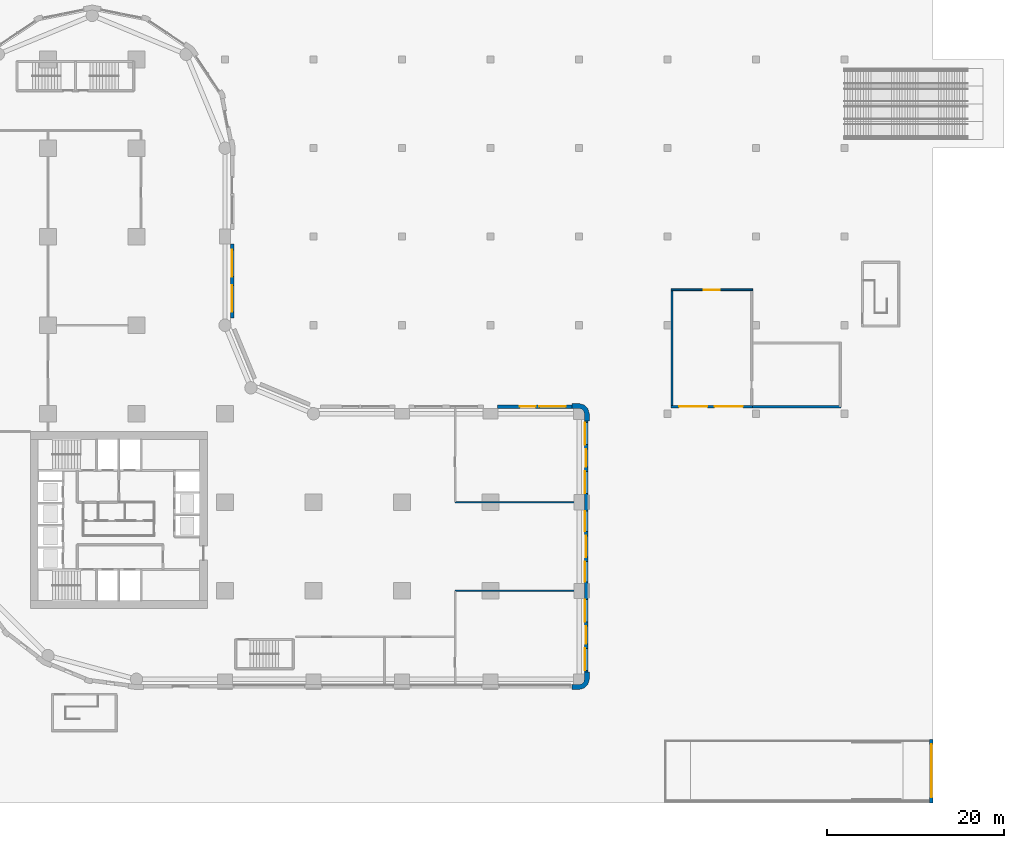
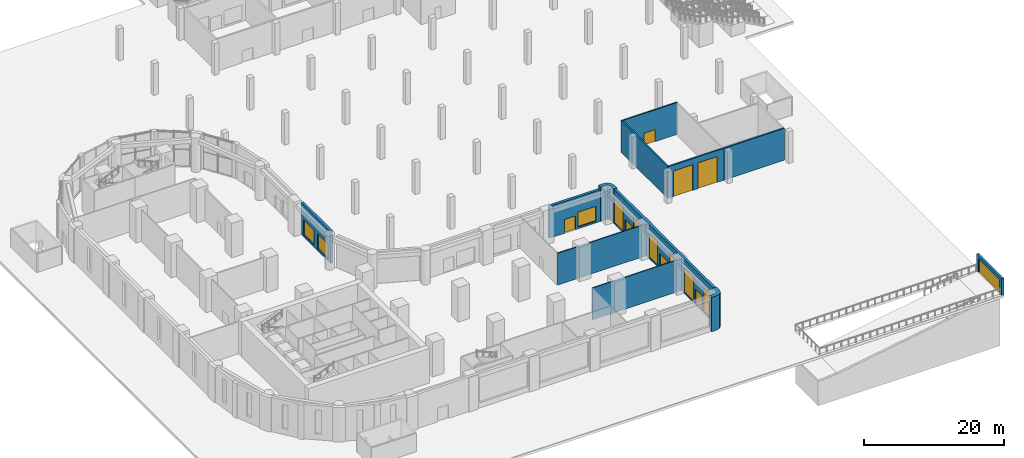
# One storey, part 10 of 21: 12 walls, 9 windows, 8 doors, 17 openings.
"""IFC4 building model written with IfcOpenShell, lengths in metres."""

from ifc_helpers import new_model, si_unit, direction, frame, frame_2d, origin, place, context, subcontext, project, spatial, polyline, rectangle, outline, extrude, material, layer, layer_set, type_object, element, fill, save


model = new_model("IFC4")

# Units and contexts
model_context = context("Model", 3, precision=1e-05, world=origin(), true_north=direction((0.0, 1.0)))
body_context = subcontext(model_context, "Body", "Model", "MODEL_VIEW")
ifc_project = project(units=[si_unit("LENGTHUNIT", "METRE"), si_unit("AREAUNIT", "SQUARE_METRE"), si_unit("VOLUMEUNIT", "CUBIC_METRE"), si_unit("PLANEANGLEUNIT", "RADIAN"), si_unit("MASSUNIT", "GRAM", prefix="KILO")], contexts=[model_context])

# Site, building, storey
site_placement = place(None, origin())
site = spatial("IfcSite", under=ifc_project, at=site_placement, CompositionType="ELEMENT")
building_placement = place(site_placement, origin())
building = spatial("IfcBuilding", under=site, at=building_placement, Name="Qaws Garden Tower", CompositionType="ELEMENT")
storey_placement = place(building_placement, origin())
storey = spatial("IfcBuildingStorey", under=building, at=storey_placement, Name="L00", CompositionType="ELEMENT", Elevation=0.0)

# Wall, openings, door, window
ifc_material_1 = material(Name="Brick masonry", Category="masonry")
ifc_layer_1 = layer(ifc_material_1, 0.39990234375)
ifc_layer_set_1 = layer_set([ifc_layer_1], Name="Brick masonry")
wall_type_1 = type_object("IfcWallType", Name="Base facade wall 400", PredefinedType="SOLIDWALL", material=ifc_layer_set_1)
wall_1_placement = place(storey_placement, frame((69.199951171875, 30.800048828125, 0.0), z_axis=(0.0, 0.0, 1.0), x_axis=(-1.0, 0.0, 0.0)))
wall_1 = element("IfcWall", 1, at=wall_1_placement, inside=storey, type_object=wall_type_1, Name="Base facade wall", PredefinedType="SOLIDWALL", context=body_context, shape_type="SweptSolid", body=[
    extrude(rectangle(XDim=8.39990234375, YDim=0.39990234375, at=frame_2d((4.199951171875, 0.0))), origin(), (0.0, 0.0, 1.0), 5.550048828125),
])
opening_1_placement = place(wall_1_placement, frame((0.699951171875, 0.0, 0.300048828125)))
opening_1 = element("IfcOpeningElement", 2, at=opening_1_placement, cuts=wall_1, Name="Opening PW-S1", PredefinedType="OPENING", context=body_context, shape_type="SweptSolid", body=[
    extrude(rectangle(XDim=3.0, YDim=2.60009765625, at=frame_2d((1.5, 1.300048828125))), frame((0.0, 0.2099609375, 0.0), z_axis=(0.0, -1.0, 0.0), x_axis=(1.0, 0.0, 0.0)), (0.0, 0.0, 1.0), 0.419921875),
])
opening_2_placement = place(wall_1_placement, frame((4.10009765625, 0.0, 0.0)))
opening_2 = element("IfcOpeningElement", 3, at=opening_2_placement, cuts=wall_1, Name="Opening PD6-04", PredefinedType="OPENING", context=body_context, shape_type="SweptSolid", body=[
    extrude(rectangle(XDim=1.800048828125, YDim=2.39990234375, at=frame_2d((0.89990234375, 1.199951171875))), frame((0.0, 0.2099609375, 0.0), z_axis=(0.0, -1.0, 0.0), x_axis=(1.0, 0.0, 0.0)), (0.0, 0.0, 1.0), 0.419921875),
])
ifc_material_2 = material(Name="Steel S235 framed door leaf", Category="steel")
door_type_1 = type_object("IfcDoorType", Name="Door D6 shopfront entrance 1800", OperationType="DOUBLE_DOOR_SINGLE_SWING", PredefinedType="DOOR", material=ifc_material_2)
door_1_placement = place(opening_2_placement, origin())
door_1 = element("IfcDoor", 4, at=door_1_placement, inside=storey, type_object=door_type_1, Name="Tower entrance door", OperationType="DOUBLE_DOOR_SINGLE_SWING", OverallHeight=2.39990234375, OverallWidth=1.800048828125, PredefinedType="DOOR", context=body_context, shape_type="SweptSolid", body=[
    extrude(rectangle(XDim=1.800048828125, YDim=2.39990234375, at=frame_2d((0.89990234375, 1.199951171875))), frame((0.0, 0.02490234375, 0.0), z_axis=(0.0, -1.0, 0.0), x_axis=(1.0, 0.0, 0.0)), (0.0, 0.0, 1.0), 0.050048828125),
])
fill(opening_2, door_1)
ifc_material_3 = material(Name="Aluminium and clear glass", Category="aluminium")
window_type_1 = type_object("IfcWindowType", Name="Shopfront window 3000", PartitioningType="TRIPLE_PANEL_VERTICAL", PredefinedType="WINDOW", material=ifc_material_3)
window_1_placement = place(opening_1_placement, origin())
window_1 = element("IfcWindow", 5, at=window_1_placement, inside=storey, type_object=window_type_1, Name="Shopfront window", OverallHeight=2.60009765625, OverallWidth=3.0, PartitioningType="SINGLE_PANEL", PredefinedType="WINDOW", context=body_context, shape_type="SweptSolid", body=[
    extrude(rectangle(XDim=3.0, YDim=2.60009765625, at=frame_2d((1.5, 1.300048828125))), frame((0.0, 0.030029296875, 0.0), z_axis=(0.0, -1.0, 0.0), x_axis=(1.0, 0.0, 0.0)), (0.0, 0.0, 1.0), 0.06005859375),
])
fill(opening_1, window_1)

# Wall, openings, windows
wall_2_placement = place(storey_placement, frame((30.800048828125, 40.800048828125, 0.0), z_axis=(0.0, 0.0, 1.0), x_axis=(0.0, 1.0, 0.0)))
wall_2 = element("IfcWall", 6, at=wall_2_placement, inside=storey, type_object=wall_type_1, Name="Base facade wall", PredefinedType="SOLIDWALL", context=body_context, shape_type="SweptSolid", body=[
    extrude(rectangle(XDim=8.39990234375, YDim=0.39990234375, at=frame_2d((4.199951171875, 0.0))), origin(), (0.0, 0.0, 1.0), 5.550048828125),
])
opening_3_placement = place(wall_2_placement, frame((0.699951171875, 0.0, 0.300048828125)))
opening_3 = element("IfcOpeningElement", 7, at=opening_3_placement, cuts=wall_2, Name="Opening PW-S1", PredefinedType="OPENING", context=body_context, shape_type="SweptSolid", body=[
    extrude(rectangle(XDim=3.0, YDim=2.60009765625, at=frame_2d((1.5, 1.300048828125))), frame((0.0, 0.2099609375, 0.0), z_axis=(0.0, -1.0, 0.0), x_axis=(1.0, 0.0, 0.0)), (0.0, 0.0, 1.0), 0.419921875),
])
opening_4_placement = place(wall_2_placement, frame((4.699951171875, 0.0, 0.300048828125)))
opening_4 = element("IfcOpeningElement", 8, at=opening_4_placement, cuts=wall_2, Name="Opening PW-S1", PredefinedType="OPENING", context=body_context, shape_type="SweptSolid", body=[
    extrude(rectangle(XDim=3.0, YDim=2.60009765625, at=frame_2d((1.5, 1.300048828125))), frame((0.0, 0.2099609375, 0.0), z_axis=(0.0, -1.0, 0.0), x_axis=(1.0, 0.0, 0.0)), (0.0, 0.0, 1.0), 0.419921875),
])
window_2_placement = place(opening_3_placement, origin())
window_2 = element("IfcWindow", 9, at=window_2_placement, inside=storey, type_object=window_type_1, Name="Shopfront window", OverallHeight=2.60009765625, OverallWidth=3.0, PartitioningType="SINGLE_PANEL", PredefinedType="WINDOW", context=body_context, shape_type="SweptSolid", body=[
    extrude(rectangle(XDim=3.0, YDim=2.60009765625, at=frame_2d((1.5, 1.300048828125))), frame((0.0, 0.030029296875, 0.0), z_axis=(0.0, -1.0, 0.0), x_axis=(1.0, 0.0, 0.0)), (0.0, 0.0, 1.0), 0.06005859375),
])
fill(opening_3, window_2)
window_3_placement = place(opening_4_placement, origin())
window_3 = element("IfcWindow", 10, at=window_3_placement, inside=storey, type_object=window_type_1, Name="Shopfront window", OverallHeight=2.60009765625, OverallWidth=3.0, PartitioningType="SINGLE_PANEL", PredefinedType="WINDOW", context=body_context, shape_type="SweptSolid", body=[
    extrude(rectangle(XDim=3.0, YDim=2.60009765625, at=frame_2d((1.5, 1.300048828125))), frame((0.0, 0.030029296875, 0.0), z_axis=(0.0, -1.0, 0.0), x_axis=(1.0, 0.0, 0.0)), (0.0, 0.0, 1.0), 0.06005859375),
])
fill(opening_4, window_3)

# Walls
ifc_material_4 = material(Name="Gypsum board on steel S235 stud", Category="steel")
ifc_layer_2 = layer(ifc_material_4, 0.14990234375)
ifc_layer_set_2 = layer_set([ifc_layer_2], Name="Gypsum board on steel S235 stud")
wall_type_2 = type_object("IfcWallType", Name="Partition 150", PredefinedType="PARTITIONING", material=ifc_layer_set_2)
for number, where, z_axis, x_axis, name in (
    (11, (56.0, 10.0, 0.0), (0.0, 0.0, 1.0), (1.0, 0.0, 0.0), "Entrance vestibule wall"),
    (12, (56.0, 20.0, 0.0), (0.0, 0.0, 1.0), (1.0, 0.0, 0.0), "Entrance vestibule wall"),
):
    element("IfcWall", number, at=place(storey_placement, frame(where, z_axis=z_axis, x_axis=x_axis)), inside=storey, type_object=wall_type_2, Name=name, PredefinedType="PARTITIONING", context=body_context, shape_type="SweptSolid", body=[
        extrude(rectangle(XDim=14.60009765625, YDim=0.14990234375, at=frame_2d((7.300048828125, 0.0))), origin(), (0.0, 0.0, 1.0), 5.550048828125),
    ])

# Wall, opening, door
ifc_material_5 = material(Name="Blockwork", Category="masonry")
ifc_layer_3 = layer(ifc_material_5, 0.199951171875)
ifc_layer_set_3 = layer_set([ifc_layer_3], Name="Blockwork")
wall_type_3 = type_object("IfcWallType", Name="Plant room wall 200", PredefinedType="PARTITIONING", material=ifc_layer_set_3)
wall_3_placement = place(storey_placement, frame((80.39990234375, 44.0, 0.0), z_axis=(0.0, 0.0, 1.0), x_axis=(1.0, 0.0, 0.0)))
wall_3 = element("IfcWall", 13, at=wall_3_placement, inside=storey, type_object=wall_type_3, Name="Loading bay north wall", PredefinedType="PARTITIONING", context=body_context, shape_type="SweptSolid", body=[
    extrude(rectangle(XDim=9.2001953125, YDim=0.199951171875, at=frame_2d((4.60009765625, 0.0))), origin(), (0.0, 0.0, 1.0), 5.550048828125),
])
opening_5_placement = place(wall_3_placement, frame((3.699951171875, 0.0, 0.0)))
opening_5 = element("IfcOpeningElement", 14, at=opening_5_placement, cuts=wall_3, Name="Opening PD2-01", PredefinedType="OPENING", context=body_context, shape_type="SweptSolid", body=[
    extrude(rectangle(XDim=1.800048828125, YDim=2.10009765625, at=frame_2d((0.89990234375, 1.050048828125))), frame((0.0, 0.10986328125, 0.0), z_axis=(0.0, -1.0, 0.0), x_axis=(1.0, 0.0, 0.0)), (0.0, 0.0, 1.0), 0.219970703125),
])
ifc_material_6 = material(Name="Steel S235 framed door leaf", Category="steel")
door_type_2 = type_object("IfcDoorType", Name="Door D2 double 1800", OperationType="DOUBLE_DOOR_SINGLE_SWING", PredefinedType="DOOR", material=ifc_material_6)
door_2_placement = place(opening_5_placement, frame((1.800048828125, 0.0, 0.0), z_axis=(0.0, 0.0, 1.0), x_axis=(-1.0, 0.0, 0.0)))
door_2 = element("IfcDoor", 15, at=door_2_placement, inside=storey, type_object=door_type_2, Name="Loading bay door to arcade", OperationType="DOUBLE_DOOR_SINGLE_SWING", OverallHeight=2.10009765625, OverallWidth=1.800048828125, PredefinedType="DOOR", context=body_context, shape_type="SweptSolid", body=[
    extrude(rectangle(XDim=1.800048828125, YDim=2.10009765625, at=frame_2d((0.89990234375, 1.050048828125))), frame((0.0, 0.02490234375, 0.0), z_axis=(0.0, -1.0, 0.0), x_axis=(1.0, 0.0, 0.0)), (0.0, 0.0, 1.0), 0.050048828125),
])
fill(opening_5, door_2)

ifc_material_7 = material(Name="Blockwork reinforced with steel S355", Category="masonry")
ifc_layer_4 = layer(ifc_material_7, 0.39990234375)
ifc_layer_set_4 = layer_set([ifc_layer_4], Name="Blockwork reinforced with steel S355")
wall_type_4 = type_object("IfcWallType", Name="Ramp gate wall 400", PredefinedType="STANDARD", material=ifc_layer_set_4)
wall_4_placement = place(storey_placement, frame((109.800048828125, -14.0, 0.0), z_axis=(0.0, 0.0, 1.0), x_axis=(0.0, 1.0, 0.0)))
wall_4 = element("IfcWall", 16, at=wall_4_placement, inside=storey, type_object=wall_type_4, Name="Ramp gate wall", PredefinedType="STANDARD", context=body_context, shape_type="SweptSolid", body=[
    extrude(rectangle(XDim=7.199951171875, YDim=0.39990234375, at=frame_2d((3.60009765625, 0.0))), origin(), (0.0, 0.0, 1.0), 2.89990234375),
])
opening_6_placement = place(wall_4_placement, frame((0.64990234375, 0.0, 0.0)))
opening_6 = element("IfcOpeningElement", 17, at=opening_6_placement, cuts=wall_4, Name="Opening VG1", PredefinedType="OPENING", context=body_context, shape_type="SweptSolid", body=[
    extrude(rectangle(XDim=6.0, YDim=2.39990234375, at=frame_2d((3.0, 1.199951171875))), frame((0.0, 0.2099609375, 0.0), z_axis=(0.0, -1.0, 0.0), x_axis=(1.0, 0.0, 0.0)), (0.0, 0.0, 1.0), 0.419921875),
])
ifc_material_8 = material(Name="Steel S235 galvanised gate leaf", Category="steel")
door_type_3 = type_object("IfcDoorType", Name="Vehicle gate 6000 x 2400", OperationType="SLIDING_TO_LEFT", PredefinedType="DOOR", material=ifc_material_8)
door_3_placement = place(opening_6_placement, origin())
door_3 = element("IfcDoor", 18, at=door_3_placement, inside=storey, type_object=door_type_3, Name="Vehicle gate VG1", OperationType="SLIDING_TO_LEFT", OverallHeight=2.39990234375, OverallWidth=6.0, PredefinedType="DOOR", context=body_context, shape_type="SweptSolid", body=[
    extrude(rectangle(XDim=6.0, YDim=2.39990234375, at=frame_2d((3.0, 1.199951171875))), frame((0.0, 0.02490234375, 0.0), z_axis=(0.0, -1.0, 0.0), x_axis=(1.0, 0.0, 0.0)), (0.0, 0.0, 1.0), 0.050048828125),
])
fill(opening_6, door_3)

# Wall, openings, doors
ifc_material_9 = material(Name="Blockwork reinforced with steel S355", Category="masonry")
ifc_layer_5 = layer(ifc_material_9, 0.25)
ifc_layer_set_5 = layer_set([ifc_layer_5], Name="Blockwork reinforced with steel S355")
wall_type_5 = type_object("IfcWallType", Name="Shopfront wall 250", PredefinedType="STANDARD", material=ifc_layer_set_5)
wall_5_placement = place(storey_placement, frame((80.39990234375, 30.800048828125, 0.0), z_axis=(0.0, 0.0, 1.0), x_axis=(1.0, 0.0, 0.0)))
wall_5 = element("IfcWall", 19, at=wall_5_placement, inside=storey, type_object=wall_type_5, Name="Loading bay front wall", PredefinedType="STANDARD", context=body_context, shape_type="SweptSolid", body=[
    extrude(rectangle(XDim=9.2001953125, YDim=0.25, at=frame_2d((4.60009765625, 0.0))), origin(), (0.0, 0.0, 1.0), 5.550048828125),
])
opening_7_placement = place(wall_5_placement, frame((0.89990234375, 0.0, 0.0)))
opening_7 = element("IfcOpeningElement", 20, at=opening_7_placement, cuts=wall_5, Name="Opening PD5-01", PredefinedType="OPENING", context=body_context, shape_type="SweptSolid", body=[
    extrude(rectangle(XDim=3.199951171875, YDim=4.5, at=frame_2d((1.60009765625, 2.25))), frame((0.0, 0.135009765625, 0.0), z_axis=(0.0, -1.0, 0.0), x_axis=(1.0, 0.0, 0.0)), (0.0, 0.0, 1.0), 0.27001953125),
])
opening_8_placement = place(wall_5_placement, frame((4.89990234375, 0.0, 0.0)))
opening_8 = element("IfcOpeningElement", 21, at=opening_8_placement, cuts=wall_5, Name="Opening PD5-02", PredefinedType="OPENING", context=body_context, shape_type="SweptSolid", body=[
    extrude(rectangle(XDim=3.199951171875, YDim=4.5, at=frame_2d((1.60009765625, 2.25))), frame((0.0, 0.135009765625, 0.0), z_axis=(0.0, -1.0, 0.0), x_axis=(1.0, 0.0, 0.0)), (0.0, 0.0, 1.0), 0.27001953125),
])
ifc_material_10 = material(Name="Steel S235 framed door leaf", Category="steel")
door_type_4 = type_object("IfcDoorType", Name="Door D5 loading 3200", OperationType="SLIDING_TO_LEFT", PredefinedType="DOOR", material=ifc_material_10)
door_4_placement = place(opening_7_placement, frame((3.199951171875, 0.0, 0.0), z_axis=(0.0, 0.0, 1.0), x_axis=(-1.0, 0.0, 0.0)))
door_4 = element("IfcDoor", 22, at=door_4_placement, inside=storey, type_object=door_type_4, Name="Loading dock door", OperationType="SLIDING_TO_LEFT", OverallHeight=4.5, OverallWidth=3.199951171875, PredefinedType="DOOR", context=body_context, shape_type="SweptSolid", body=[
    extrude(rectangle(XDim=3.199951171875, YDim=4.5, at=frame_2d((1.60009765625, 2.25))), frame((0.0, 0.02490234375, 0.0), z_axis=(0.0, -1.0, 0.0), x_axis=(1.0, 0.0, 0.0)), (0.0, 0.0, 1.0), 0.050048828125),
])
fill(opening_7, door_4)
door_5_placement = place(opening_8_placement, frame((3.199951171875, 0.0, 0.0), z_axis=(0.0, 0.0, 1.0), x_axis=(-1.0, 0.0, 0.0)))
door_5 = element("IfcDoor", 23, at=door_5_placement, inside=storey, type_object=door_type_4, Name="Loading dock door", OperationType="SLIDING_TO_LEFT", OverallHeight=4.5, OverallWidth=3.199951171875, PredefinedType="DOOR", context=body_context, shape_type="SweptSolid", body=[
    extrude(rectangle(XDim=3.199951171875, YDim=4.5, at=frame_2d((1.60009765625, 2.25))), frame((0.0, 0.02490234375, 0.0), z_axis=(0.0, -1.0, 0.0), x_axis=(1.0, 0.0, 0.0)), (0.0, 0.0, 1.0), 0.050048828125),
])
fill(opening_8, door_5)

# Walls
wall_6_placement = place(storey_placement, frame((80.5, 30.800048828125, 0.0), z_axis=(0.0, 0.0, 1.0), x_axis=(0.0, 1.0, 0.0)))
element("IfcWall", 24, at=wall_6_placement, inside=storey, type_object=wall_type_5, Name="Loading bay west wall", PredefinedType="STANDARD", context=body_context, shape_type="SweptSolid", body=[
    extrude(rectangle(XDim=13.300048828125, YDim=0.25, at=frame_2d((6.64990234375, 0.0))), origin(), (0.0, 0.0, 1.0), 5.550048828125),
])
wall_7_placement = place(storey_placement, frame((89.60009765625, 30.800048828125, 0.0), z_axis=(0.0, 0.0, 1.0), x_axis=(1.0, 0.0, 0.0)))
element("IfcWall", 25, at=wall_7_placement, inside=storey, type_object=wall_type_5, Name="Refuse room front wall", PredefinedType="STANDARD", context=body_context, shape_type="SweptSolid", body=[
    extrude(rectangle(XDim=10.0, YDim=0.25, at=frame_2d((5.0, 0.0))), origin(), (0.0, 0.0, 1.0), 5.550048828125),
])
ifc_material_11 = material(Name="Limestone ashlar masonry", Category="masonry")
ifc_layer_6 = layer(ifc_material_11, 0.550048828125)
ifc_layer_set_6 = layer_set([ifc_layer_6], Name="Limestone ashlar masonry")
wall_type_6 = type_object("IfcWallType", Name="Stone corner pier 550 x 2400", PredefinedType="SOLIDWALL", material=ifc_layer_set_6)
placement = place(storey_placement, origin())
element("IfcWall", 26, at=placement, inside=storey, type_object=wall_type_6, Name="E-L00-pier-05", PredefinedType="SOLIDWALL", context=body_context, shape_type="SweptSolid", body=[
    extrude(outline(polyline([(69.199951171875, -1.0), (69.199951171875, -1.14990234375), (70.0, -1.14990234375), (70.574951171875, -0.995849609375), (70.995849609375, -0.574951171875), (71.14990234375, 0.0), (71.14990234375, 0.800048828125), (71.0, 0.800048828125), (70.60009765625, 0.800048828125), (70.60009765625, 0.0), (70.51953125, -0.300048828125), (70.300048828125, -0.51953125), (70.0, -0.60009765625), (69.199951171875, -0.60009765625), (69.199951171875, -1.0)])), origin(), (0.0, 0.0, 1.0), 6.0),
])
element("IfcWall", 27, at=placement, inside=storey, type_object=wall_type_6, Name="E-L00-pier-08", PredefinedType="SOLIDWALL", context=body_context, shape_type="SweptSolid", body=[
    extrude(outline(polyline([(71.0, 29.199951171875), (71.14990234375, 29.199951171875), (71.14990234375, 30.0), (70.995849609375, 30.574951171875), (70.574951171875, 30.995849609375), (70.0, 31.14990234375), (69.199951171875, 31.14990234375), (69.199951171875, 31.0), (69.199951171875, 30.60009765625), (70.0, 30.60009765625), (70.300048828125, 30.51953125), (70.51953125, 30.300048828125), (70.60009765625, 30.0), (70.60009765625, 29.199951171875), (71.0, 29.199951171875)])), origin(), (0.0, 0.0, 1.0), 6.0),
])

# Wall, openings, doors, windows
ifc_material_12 = material(Name="Limestone ashlar masonry", Category="masonry")
ifc_layer_7 = layer(ifc_material_12, 0.39990234375)
ifc_layer_set_7 = layer_set([ifc_layer_7], Name="Limestone ashlar masonry")
wall_type_7 = type_object("IfcWallType", Name="Stone infill wall 400", PredefinedType="SOLIDWALL", material=ifc_layer_set_7)
wall_10_placement = place(storey_placement, frame((70.800048828125, 0.800048828125, 0.0), z_axis=(0.0, 0.0, 1.0), x_axis=(0.0, 1.0, 0.0)))
wall_10 = element("IfcWall", 28, at=wall_10_placement, inside=storey, type_object=wall_type_7, Name="E-L00-infill-05", PredefinedType="SOLIDWALL", context=body_context, shape_type="SweptSolid", body=[
    extrude(rectangle(XDim=28.39990234375, YDim=0.39990234375, at=frame_2d((14.199951171875, 0.0))), origin(), (0.0, 0.0, 1.0), 6.0),
])
opening_9_placement = place(wall_10_placement, frame((0.199951171875, 0.0, 0.300048828125)))
opening_9 = element("IfcOpeningElement", 29, at=opening_9_placement, cuts=wall_10, Name="Opening W14", PredefinedType="OPENING", context=body_context, shape_type="SweptSolid", body=[
    extrude(rectangle(XDim=2.5, YDim=4.199951171875, at=frame_2d((1.25, 2.10009765625))), frame((0.0, 0.2099609375, 0.0), z_axis=(0.0, -1.0, 0.0), x_axis=(1.0, 0.0, 0.0)), (0.0, 0.0, 1.0), 0.419921875),
])
opening_10_placement = place(wall_10_placement, frame((3.199951171875, 0.0, 0.0)))
opening_10 = element("IfcOpeningElement", 30, at=opening_10_placement, cuts=wall_10, Name="Opening XD002", PredefinedType="OPENING", context=body_context, shape_type="SweptSolid", body=[
    extrude(rectangle(XDim=2.0, YDim=2.699951171875, at=frame_2d((1.0, 1.35009765625))), frame((0.0, 0.2099609375, 0.0), z_axis=(0.0, -1.0, 0.0), x_axis=(1.0, 0.0, 0.0)), (0.0, 0.0, 1.0), 0.419921875),
])
opening_11_placement = place(wall_10_placement, frame((5.699951171875, 0.0, 0.300048828125)))
opening_11 = element("IfcOpeningElement", 31, at=opening_11_placement, cuts=wall_10, Name="Opening W14", PredefinedType="OPENING", context=body_context, shape_type="SweptSolid", body=[
    extrude(rectangle(XDim=2.5, YDim=4.199951171875, at=frame_2d((1.25, 2.10009765625))), frame((0.0, 0.2099609375, 0.0), z_axis=(0.0, -1.0, 0.0), x_axis=(1.0, 0.0, 0.0)), (0.0, 0.0, 1.0), 0.419921875),
])
opening_12_placement = place(wall_10_placement, frame((10.199951171875, 0.0, 0.300048828125)))
opening_12 = element("IfcOpeningElement", 32, at=opening_12_placement, cuts=wall_10, Name="Opening W16", PredefinedType="OPENING", context=body_context, shape_type="SweptSolid", body=[
    extrude(rectangle(XDim=2.300048828125, YDim=4.199951171875, at=frame_2d((1.14990234375, 2.10009765625))), frame((0.0, 0.2099609375, 0.0), z_axis=(0.0, -1.0, 0.0), x_axis=(1.0, 0.0, 0.0)), (0.0, 0.0, 1.0), 0.419921875),
])
opening_13_placement = place(wall_10_placement, frame((13.0, 0.0, 0.0)))
opening_13 = element("IfcOpeningElement", 33, at=opening_13_placement, cuts=wall_10, Name="Opening XD003", PredefinedType="OPENING", context=body_context, shape_type="SweptSolid", body=[
    extrude(rectangle(XDim=2.39990234375, YDim=2.699951171875, at=frame_2d((1.199951171875, 1.35009765625))), frame((0.0, 0.2099609375, 0.0), z_axis=(0.0, -1.0, 0.0), x_axis=(1.0, 0.0, 0.0)), (0.0, 0.0, 1.0), 0.419921875),
])
opening_14_placement = place(wall_10_placement, frame((15.89990234375, 0.0, 0.300048828125)))
opening_14 = element("IfcOpeningElement", 34, at=opening_14_placement, cuts=wall_10, Name="Opening W16", PredefinedType="OPENING", context=body_context, shape_type="SweptSolid", body=[
    extrude(rectangle(XDim=2.300048828125, YDim=4.199951171875, at=frame_2d((1.14990234375, 2.10009765625))), frame((0.0, 0.2099609375, 0.0), z_axis=(0.0, -1.0, 0.0), x_axis=(1.0, 0.0, 0.0)), (0.0, 0.0, 1.0), 0.419921875),
])
opening_15_placement = place(wall_10_placement, frame((20.199951171875, 0.0, 0.300048828125)))
opening_15 = element("IfcOpeningElement", 35, at=opening_15_placement, cuts=wall_10, Name="Opening W14", PredefinedType="OPENING", context=body_context, shape_type="SweptSolid", body=[
    extrude(rectangle(XDim=2.5, YDim=4.199951171875, at=frame_2d((1.25, 2.10009765625))), frame((0.0, 0.2099609375, 0.0), z_axis=(0.0, -1.0, 0.0), x_axis=(1.0, 0.0, 0.0)), (0.0, 0.0, 1.0), 0.419921875),
])
opening_16_placement = place(wall_10_placement, frame((23.199951171875, 0.0, 0.0)))
opening_16 = element("IfcOpeningElement", 36, at=opening_16_placement, cuts=wall_10, Name="Opening XD004", PredefinedType="OPENING", context=body_context, shape_type="SweptSolid", body=[
    extrude(rectangle(XDim=2.0, YDim=2.699951171875, at=frame_2d((1.0, 1.35009765625))), frame((0.0, 0.2099609375, 0.0), z_axis=(0.0, -1.0, 0.0), x_axis=(1.0, 0.0, 0.0)), (0.0, 0.0, 1.0), 0.419921875),
])
opening_17_placement = place(wall_10_placement, frame((25.699951171875, 0.0, 0.300048828125)))
opening_17 = element("IfcOpeningElement", 37, at=opening_17_placement, cuts=wall_10, Name="Opening W14", PredefinedType="OPENING", context=body_context, shape_type="SweptSolid", body=[
    extrude(rectangle(XDim=2.5, YDim=4.199951171875, at=frame_2d((1.25, 2.10009765625))), frame((0.0, 0.2099609375, 0.0), z_axis=(0.0, -1.0, 0.0), x_axis=(1.0, 0.0, 0.0)), (0.0, 0.0, 1.0), 0.419921875),
])
ifc_material_13 = material(Name="Aluminium framed glazed door, clear glazing", Category="aluminium")
door_type_5 = type_object("IfcDoorType", Name="Main entrance double door 2400 x 2700", OperationType="DOUBLE_DOOR_DOUBLE_SWING", PredefinedType="DOOR", material=ifc_material_13)
door_6_placement = place(opening_13_placement, frame((2.39990234375, 0.0, 0.0), z_axis=(0.0, 0.0, 1.0), x_axis=(-1.0, 0.0, 0.0)))
door_6 = element("IfcDoor", 38, at=door_6_placement, inside=storey, type_object=door_type_5, Name="E-L00-door-06", OperationType="DOUBLE_DOOR_DOUBLE_SWING", OverallHeight=2.699951171875, OverallWidth=2.39990234375, PredefinedType="DOOR", context=body_context, shape_type="SweptSolid", body=[
    extrude(rectangle(XDim=2.39990234375, YDim=2.699951171875, at=frame_2d((1.199951171875, 1.35009765625))), frame((0.0, 0.02490234375, 0.0), z_axis=(0.0, -1.0, 0.0), x_axis=(1.0, 0.0, 0.0)), (0.0, 0.0, 1.0), 0.050048828125),
])
fill(opening_13, door_6)
ifc_material_14 = material(Name="Aluminium framed glazed door, clear glazing", Category="aluminium")
door_type_6 = type_object("IfcDoorType", Name="Retail entrance double door 2000 x 2700", OperationType="DOUBLE_DOOR_DOUBLE_SWING", PredefinedType="DOOR", material=ifc_material_14)
door_7_placement = place(opening_10_placement, frame((2.0, 0.0, 0.0), z_axis=(0.0, 0.0, 1.0), x_axis=(-1.0, 0.0, 0.0)))
door_7 = element("IfcDoor", 39, at=door_7_placement, inside=storey, type_object=door_type_6, Name="E-L00-door-05", OperationType="DOUBLE_DOOR_DOUBLE_SWING", OverallHeight=2.699951171875, OverallWidth=2.0, PredefinedType="DOOR", context=body_context, shape_type="SweptSolid", body=[
    extrude(rectangle(XDim=2.0, YDim=2.699951171875, at=frame_2d((1.0, 1.35009765625))), frame((0.0, 0.02490234375, 0.0), z_axis=(0.0, -1.0, 0.0), x_axis=(1.0, 0.0, 0.0)), (0.0, 0.0, 1.0), 0.050048828125),
])
fill(opening_10, door_7)
door_8_placement = place(opening_16_placement, frame((2.0, 0.0, 0.0), z_axis=(0.0, 0.0, 1.0), x_axis=(-1.0, 0.0, 0.0)))
door_8 = element("IfcDoor", 40, at=door_8_placement, inside=storey, type_object=door_type_6, Name="E-L00-door-07", OperationType="DOUBLE_DOOR_DOUBLE_SWING", OverallHeight=2.699951171875, OverallWidth=2.0, PredefinedType="DOOR", context=body_context, shape_type="SweptSolid", body=[
    extrude(rectangle(XDim=2.0, YDim=2.699951171875, at=frame_2d((1.0, 1.35009765625))), frame((0.0, 0.02490234375, 0.0), z_axis=(0.0, -1.0, 0.0), x_axis=(1.0, 0.0, 0.0)), (0.0, 0.0, 1.0), 0.050048828125),
])
fill(opening_16, door_8)
ifc_material_15 = material(Name="Aluminium framed window, clear glazing", Category="aluminium")
window_type_2 = type_object("IfcWindowType", Name="Sidelight window 2300 x 4200", PartitioningType="SINGLE_PANEL", PredefinedType="WINDOW", material=ifc_material_15)
window_4_placement = place(opening_12_placement, origin())
window_4 = element("IfcWindow", 41, at=window_4_placement, inside=storey, type_object=window_type_2, Name="E-L00-window-06-0", OverallHeight=4.199951171875, OverallWidth=2.300048828125, PartitioningType="SINGLE_PANEL", PredefinedType="WINDOW", context=body_context, shape_type="SweptSolid", body=[
    extrude(rectangle(XDim=2.300048828125, YDim=4.199951171875, at=frame_2d((1.14990234375, 2.10009765625))), frame((0.0, 0.159912109375, 0.0), z_axis=(0.0, -1.0, 0.0), x_axis=(1.0, 0.0, 0.0)), (0.0, 0.0, 1.0), 0.06005859375),
])
fill(opening_12, window_4)
window_5_placement = place(opening_14_placement, origin())
window_5 = element("IfcWindow", 42, at=window_5_placement, inside=storey, type_object=window_type_2, Name="E-L00-window-06-2", OverallHeight=4.199951171875, OverallWidth=2.300048828125, PartitioningType="SINGLE_PANEL", PredefinedType="WINDOW", context=body_context, shape_type="SweptSolid", body=[
    extrude(rectangle(XDim=2.300048828125, YDim=4.199951171875, at=frame_2d((1.14990234375, 2.10009765625))), frame((0.0, 0.159912109375, 0.0), z_axis=(0.0, -1.0, 0.0), x_axis=(1.0, 0.0, 0.0)), (0.0, 0.0, 1.0), 0.06005859375),
])
fill(opening_14, window_5)
ifc_material_16 = material(Name="Aluminium framed window, clear glazing", Category="aluminium")
window_type_3 = type_object("IfcWindowType", Name="Sidelight window 2500 x 4200", PartitioningType="SINGLE_PANEL", PredefinedType="WINDOW", material=ifc_material_16)
window_6_placement = place(opening_9_placement, origin())
window_6 = element("IfcWindow", 43, at=window_6_placement, inside=storey, type_object=window_type_3, Name="E-L00-window-05-0", OverallHeight=4.199951171875, OverallWidth=2.5, PartitioningType="SINGLE_PANEL", PredefinedType="WINDOW", context=body_context, shape_type="SweptSolid", body=[
    extrude(rectangle(XDim=2.5, YDim=4.199951171875, at=frame_2d((1.25, 2.10009765625))), frame((0.0, 0.159912109375, 0.0), z_axis=(0.0, -1.0, 0.0), x_axis=(1.0, 0.0, 0.0)), (0.0, 0.0, 1.0), 0.06005859375),
])
fill(opening_9, window_6)
window_7_placement = place(opening_11_placement, origin())
window_7 = element("IfcWindow", 44, at=window_7_placement, inside=storey, type_object=window_type_3, Name="E-L00-window-05-2", OverallHeight=4.199951171875, OverallWidth=2.5, PartitioningType="SINGLE_PANEL", PredefinedType="WINDOW", context=body_context, shape_type="SweptSolid", body=[
    extrude(rectangle(XDim=2.5, YDim=4.199951171875, at=frame_2d((1.25, 2.10009765625))), frame((0.0, 0.159912109375, 0.0), z_axis=(0.0, -1.0, 0.0), x_axis=(1.0, 0.0, 0.0)), (0.0, 0.0, 1.0), 0.06005859375),
])
fill(opening_11, window_7)
window_8_placement = place(opening_15_placement, origin())
window_8 = element("IfcWindow", 45, at=window_8_placement, inside=storey, type_object=window_type_3, Name="E-L00-window-07-0", OverallHeight=4.199951171875, OverallWidth=2.5, PartitioningType="SINGLE_PANEL", PredefinedType="WINDOW", context=body_context, shape_type="SweptSolid", body=[
    extrude(rectangle(XDim=2.5, YDim=4.199951171875, at=frame_2d((1.25, 2.10009765625))), frame((0.0, 0.159912109375, 0.0), z_axis=(0.0, -1.0, 0.0), x_axis=(1.0, 0.0, 0.0)), (0.0, 0.0, 1.0), 0.06005859375),
])
fill(opening_15, window_8)
window_9_placement = place(opening_17_placement, origin())
window_9 = element("IfcWindow", 46, at=window_9_placement, inside=storey, type_object=window_type_3, Name="E-L00-window-07-2", OverallHeight=4.199951171875, OverallWidth=2.5, PartitioningType="SINGLE_PANEL", PredefinedType="WINDOW", context=body_context, shape_type="SweptSolid", body=[
    extrude(rectangle(XDim=2.5, YDim=4.199951171875, at=frame_2d((1.25, 2.10009765625))), frame((0.0, 0.159912109375, 0.0), z_axis=(0.0, -1.0, 0.0), x_axis=(1.0, 0.0, 0.0)), (0.0, 0.0, 1.0), 0.06005859375),
])
fill(opening_17, window_9)

save(model, "model.ifc")
